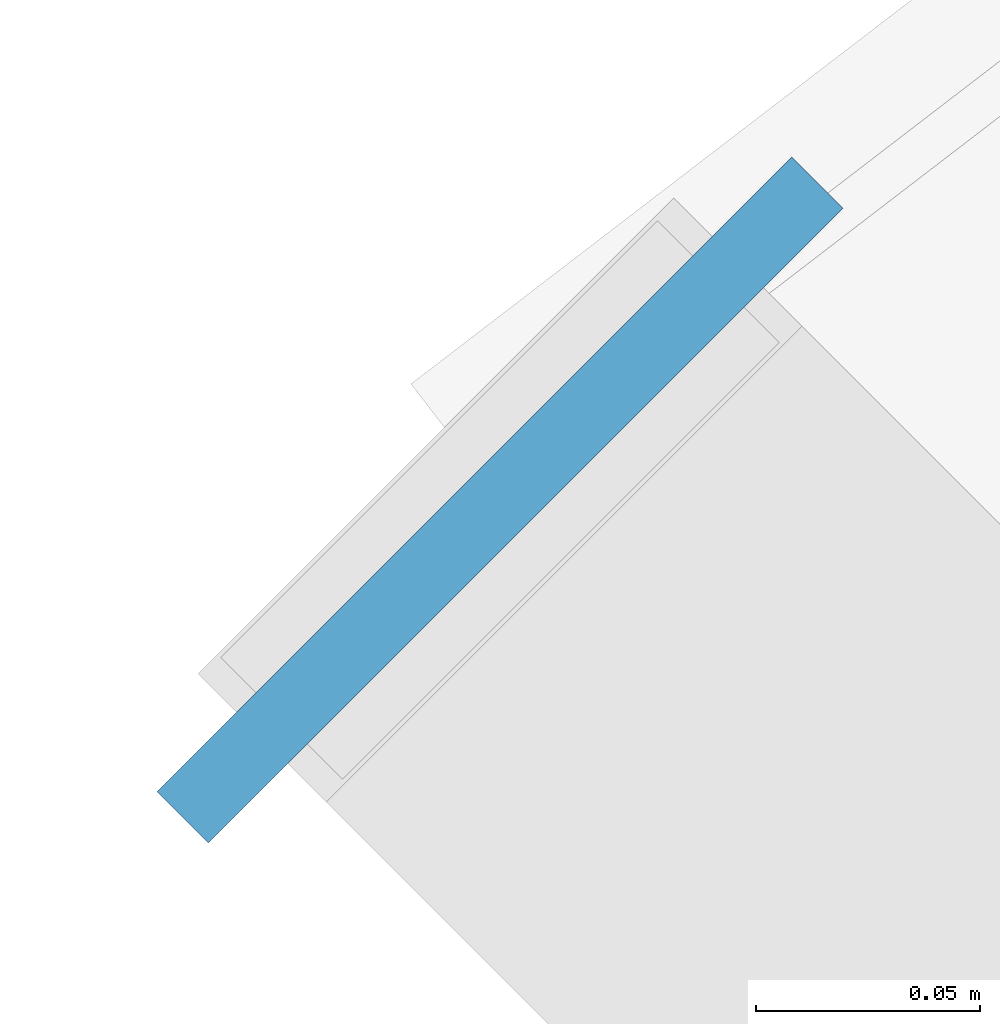
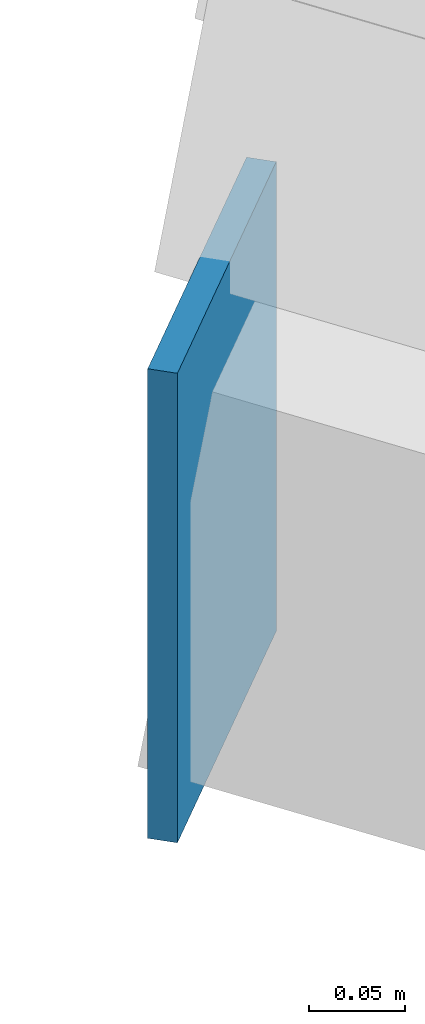
# One storey, part 46 of 70: 1 plate.
"""IFC4 building model written with IfcOpenShell, lengths in metres."""

from ifc_helpers import new_model, si_unit, direction, frame, origin, origin_2d, place, context, subcontext, project, spatial, rectangle, extrude, material, layer, layer_set, type_object, element, save


model = new_model("IFC4")

# Units and contexts
model_context = context("Model", 3, precision=1e-05, world=origin(), true_north=direction((0.0, 1.0)))
body_context = subcontext(model_context, "Body", "Model", "MODEL_VIEW")
ifc_project = project(units=[si_unit("LENGTHUNIT", "METRE"), si_unit("AREAUNIT", "SQUARE_METRE"), si_unit("VOLUMEUNIT", "CUBIC_METRE"), si_unit("PLANEANGLEUNIT", "RADIAN"), si_unit("MASSUNIT", "GRAM", prefix="KILO")], contexts=[model_context])

# Site, building, storey
site_placement = place(None, origin())
site = spatial("IfcSite", under=ifc_project, at=site_placement, CompositionType="ELEMENT")
building_placement = place(site_placement, origin())
building = spatial("IfcBuilding", under=site, at=building_placement, Name="Vondelvale Polytechnic", CompositionType="ELEMENT")
storey_placement = place(building_placement, frame((0.0, 0.0, 22.199951171875)))
storey = spatial("IfcBuildingStorey", under=building, at=storey_placement, Name="L05", CompositionType="ELEMENT", Elevation=22.199951171875)

# Plate
ifc_material = material(Name="Steel Grade 350 (fy = 340 MPa)", Category="steel")
ifc_layer = layer(ifc_material, 0.01611328125)
ifc_layer_set = layer_set([ifc_layer], Name="PLATE-CAP-300x200")
plate_type = type_object("IfcPlateType", Name="PLATE-CAP-300x200", PredefinedType="USERDEFINED", material=ifc_layer_set)
plate_placement = place(storey_placement, frame((67.634521484375, 106.365478515625, 3.61572265625), z_axis=(0.0, 0.0, 1.0), x_axis=(0.707106781187, -0.707106781187, 0.0)))
element("IfcPlate", 1, at=plate_placement, inside=storey, type_object=plate_type, Name="Ring step rafter end cap plate 08O", ObjectType="CAP_PLATE", PredefinedType="USERDEFINED", context=body_context, shape_type="SweptSolid", body=[
    extrude(rectangle(XDim=0.01611328125, YDim=0.199951171875, at=origin_2d()), origin(), (0.0, 0.0, 1.0), 0.300048828125),
])

save(model, "model.ifc")
